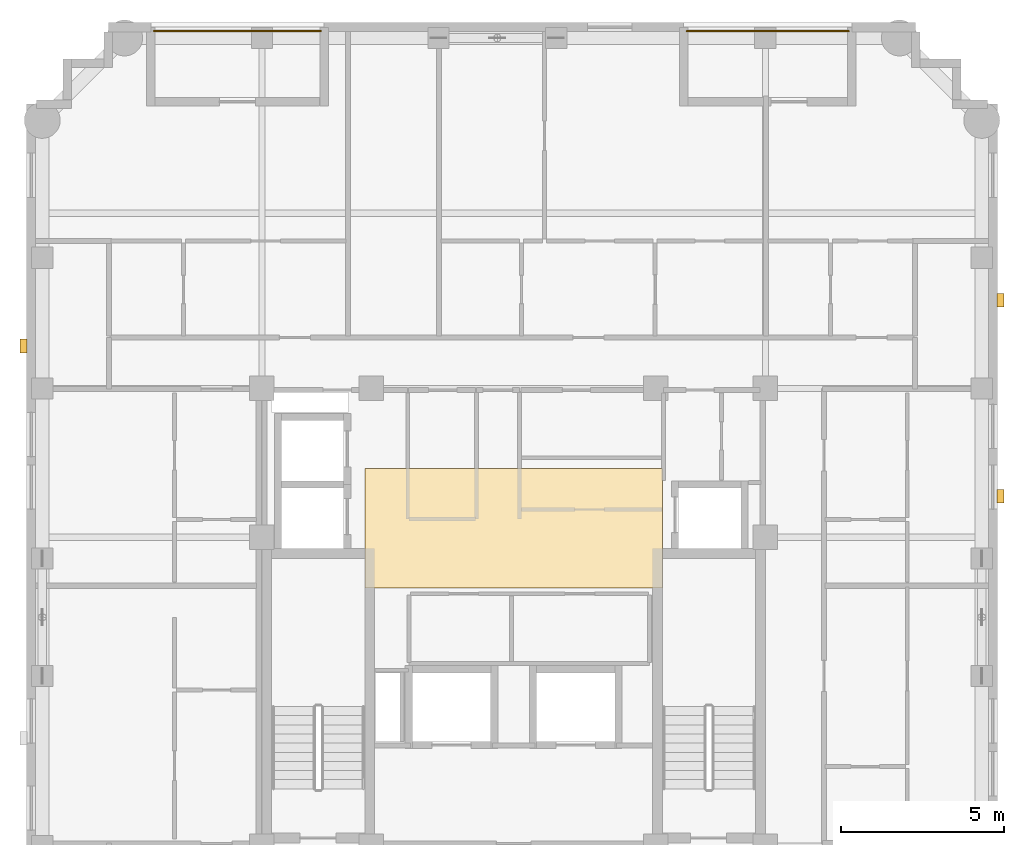
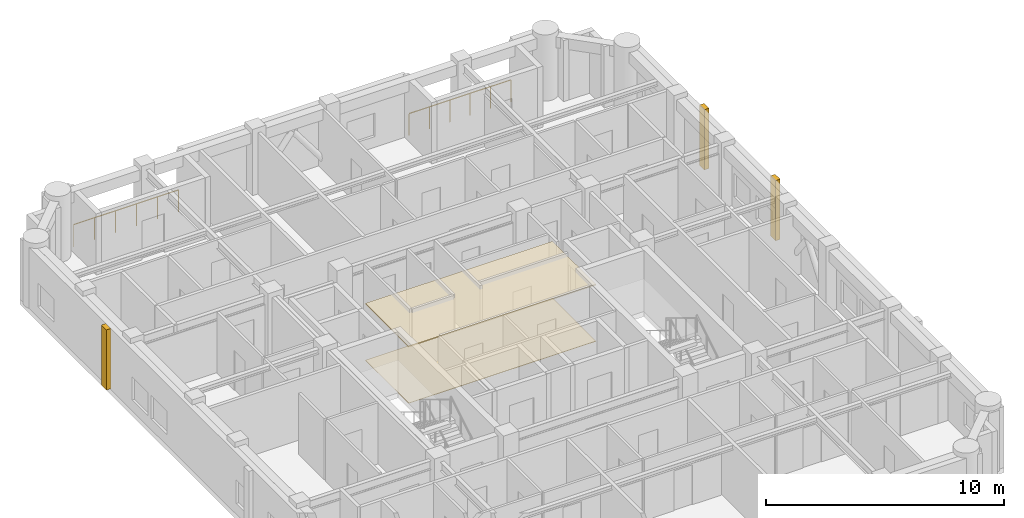
# One storey, part 10 of 10: 5 coverings, 2 railings.
"""IFC4 building model written with IfcOpenShell, lengths in metres."""

import ifcopenshell
import ifcopenshell.guid

model = None  # the IFC model being written
_history = None  # IfcOwnerHistory: only IFC2X3 demands one
_inside = {}  # id of a spatial element -> (the spatial element, [elements in it])
_under = {}  # id of a project, library or spatial element -> (it, [spatial elements below it])
_declared = {}  # id of a project -> (the project, [libraries it declares])
_typed = {}  # id of a type object -> (the type object, [elements of that type])
_made_of = {}  # id of a material, layer set ... -> (it, [elements and type objects made of it])


def new_model(schema):
    """Start an empty IFC model of exactly this schema.

    Asked for "IFC4X3", IfcOpenShell would pick the latest addendum, in which some entities
    have other attributes; the version numbers below select the first issue.
    IFC2X3 requires an IfcOwnerHistory on every rooted entity: one is made here for all.
    """
    global model, _history
    if schema == "IFC4X3":
        model = ifcopenshell.file(schema_version=(4, 3, 0, 0))
    else:
        model = ifcopenshell.file(schema=schema)
    _inside.clear()
    _under.clear()
    _declared.clear()
    _typed.clear()
    _made_of.clear()
    _history = None
    if model.schema == "IFC2X3":
        org = make("IfcOrganization", Name="unknown")
        user = make(
            "IfcPersonAndOrganization",
            ThePerson=make("IfcPerson", FamilyName="unknown"),
            TheOrganization=org,
        )
        app = make(
            "IfcApplication",
            ApplicationDeveloper=org,
            Version="unknown",
            ApplicationFullName="unknown",
            ApplicationIdentifier="unknown",
        )
        _history = make(
            "IfcOwnerHistory",
            OwningUser=user,
            OwningApplication=app,
            ChangeAction="ADDED",
            CreationDate=0,
        )
    return model


def make(cls, **values):
    """One entity of the class cls with the attributes given. An attribute that is None is left unset."""
    return model.create_entity(
        cls, **{name: value for name, value in values.items() if value is not None}
    )


def rooted(cls, **values):
    """An entity with a GlobalId (a new one), such as an element, a storey or a relation."""
    return make(cls, GlobalId=ifcopenshell.guid.new(), OwnerHistory=_history, **values)


def si_unit(unit_type, name, prefix=None):
    """IfcSIUnit, for example si_unit("LENGTHUNIT", "METRE", prefix="MILLI")."""
    return make("IfcSIUnit", UnitType=unit_type, Prefix=prefix, Name=name)


def derived_unit(unit_type, elements):
    """IfcDerivedUnit: a product of units, each with its exponent."""
    return make(
        "IfcDerivedUnit",
        Elements=[
            make("IfcDerivedUnitElement", Unit=unit, Exponent=power)
            for unit, power in elements
        ],
        UnitType=unit_type,
    )


def assignment(units):
    """IfcUnitAssignment: the units of a project."""
    return None if units is None else make("IfcUnitAssignment", Units=units)


def point(xyz):
    """IfcCartesianPoint."""
    return None if xyz is None else make("IfcCartesianPoint", Coordinates=xyz)


def direction(xyz):
    """IfcDirection."""
    return None if xyz is None else make("IfcDirection", DirectionRatios=xyz)


def frame(location, z_axis=None, x_axis=None):
    """IfcAxis2Placement3D, a coordinate frame: its origin and axes. An axis left out is left unset."""
    return make(
        "IfcAxis2Placement3D",
        Location=point(location),
        Axis=direction(z_axis),
        RefDirection=direction(x_axis),
    )


def frame_2d(location, x_axis=None):
    """IfcAxis2Placement2D, a coordinate frame in the plane: its origin and x axis."""
    return make(
        "IfcAxis2Placement2D", Location=point(location), RefDirection=direction(x_axis)
    )


def origin():
    """The frame at (0, 0, 0) with its axes left unset."""
    return frame((0.0, 0.0, 0.0))


def origin_2d():
    """The frame at (0, 0) in the plane with its x axis left unset."""
    return frame_2d((0.0, 0.0))


def place(relative_to, where):
    """IfcLocalPlacement: puts the frame where relative to a parent placement (None: the world)."""
    return make(
        "IfcLocalPlacement", PlacementRelTo=relative_to, RelativePlacement=where
    )


def context(
    kind, dimensions, precision=None, world=None, true_north=None, identifier=None
):
    """IfcGeometricRepresentationContext, for example the 3D "Model" context."""
    return make(
        "IfcGeometricRepresentationContext",
        ContextIdentifier=identifier,
        ContextType=kind,
        CoordinateSpaceDimension=dimensions,
        Precision=precision,
        WorldCoordinateSystem=world,
        TrueNorth=true_north,
    )


def subcontext(parent, identifier, kind, view, scale=None):
    """IfcGeometricRepresentationSubContext, for example "Body" below "Model"."""
    return make(
        "IfcGeometricRepresentationSubContext",
        ContextIdentifier=identifier,
        ContextType=kind,
        ParentContext=parent,
        TargetScale=scale,
        TargetView=view,
    )


def project(units=None, contexts=None):
    """IfcProject with its units and contexts."""
    return rooted(
        "IfcProject",
        Name="project",
        RepresentationContexts=contexts,
        UnitsInContext=assignment(units),
    )


def spatial(cls, under=None, at=None, **own):
    """A site, building, storey or space (cls), placed at a placement, below another one or the project."""
    s = rooted(cls, ObjectPlacement=at, **own)
    if under is not None:
        _under.setdefault(under.id(), (under, []))[1].append(s)
    return s


def polyline(points):
    """IfcPolyline through the points."""
    return make("IfcPolyline", Points=[point(p) for p in points])


def profile(cls, at=None, kind="AREA", **sizes):
    """A parametric profile (cls). Its sizes go by their IFC names, for example OverallWidth=200.0."""
    return make(cls, ProfileType=kind, Position=at, **sizes)


def rectangle(**sizes):
    """IfcRectangleProfileDef."""
    return profile("IfcRectangleProfileDef", **sizes)


def circle(**sizes):
    """IfcCircleProfileDef."""
    return profile("IfcCircleProfileDef", **sizes)


def outline(outer, holes=None, kind="AREA"):
    """IfcArbitraryClosedProfileDef: a profile drawn as a closed curve; with holes, ...WithVoids."""
    if holes is None:
        return make("IfcArbitraryClosedProfileDef", ProfileType=kind, OuterCurve=outer)
    return make(
        "IfcArbitraryProfileDefWithVoids",
        ProfileType=kind,
        OuterCurve=outer,
        InnerCurves=holes,
    )


def extrude(swept, where, along, depth):
    """IfcExtrudedAreaSolid: the profile swept, set in the frame where, extruded along a direction by depth."""
    return make(
        "IfcExtrudedAreaSolid",
        SweptArea=swept,
        Position=where,
        ExtrudedDirection=direction(along),
        Depth=depth,
    )


def shape(context_of_items, identifier, shape_type, items):
    """IfcShapeRepresentation: the items that make up one representation, for example the "Body"."""
    return make(
        "IfcShapeRepresentation",
        ContextOfItems=context_of_items,
        RepresentationIdentifier=identifier,
        RepresentationType=shape_type,
        Items=items,
    )


def material(Name=None, Category=None):
    """IfcMaterial."""
    return make("IfcMaterial", Name=Name, Category=Category)


def layer(
    of_material, thickness, ventilated=None, Name=None, Category=None, Priority=None
):
    """IfcMaterialLayer: one layer of a wall or slab, of a material (None: an air gap)."""
    return make(
        "IfcMaterialLayer",
        Material=of_material,
        LayerThickness=thickness,
        IsVentilated=ventilated,
        Name=Name,
        Category=Category,
        Priority=Priority,
    )


def layer_set(layers, Name=None):
    """IfcMaterialLayerSet."""
    return make("IfcMaterialLayerSet", MaterialLayers=layers, LayerSetName=Name)


def made_of(thing, what):
    """Note that an element or type object is made of a material, layer set ...; save() writes the relation."""
    if what is not None:
        _made_of.setdefault(what.id(), (what, []))[1].append(thing)
    return thing


def type_object(cls, material=None, **own):
    """A type object (cls), such as IfcWallType, which elements share."""
    return made_of(rooted(cls, **own), material)


def element(
    cls,
    number,
    at=None,
    inside=None,
    cuts=None,
    type_object=None,
    material=None,
    context=None,
    identifier="Body",
    shape_type=None,
    held_by="IfcProductDefinitionShape",
    body=None,
    shapes=None,
    **own,
):
    """One element of the class cls, such as IfcWall. Its Tag is "e" and its number.

    at: its placement. inside: the storey or other place that contains it. cuts: it is an
    opening in that element (IfcRelVoidsElement). A single representation is given by context,
    identifier, shape_type and body (its items); several are given by shapes. held_by: the class
    of the entity that holds the representations. save() writes the other relations.
    """
    e = rooted(cls, Tag="e%d" % number, ObjectPlacement=at, **own)
    if body is not None:
        shapes = [shape(context, identifier, shape_type, body)]
    if shapes is not None:
        e.Representation = make(held_by, Representations=shapes)
    if inside is not None:
        _inside.setdefault(inside.id(), (inside, []))[1].append(e)
    if cuts is not None:
        rooted(
            "IfcRelVoidsElement", RelatingBuildingElement=cuts, RelatedOpeningElement=e
        )
    if type_object is not None:
        _typed.setdefault(type_object.id(), (type_object, []))[1].append(e)
    return made_of(e, material)


def aggregate(whole, parts):
    """IfcRelAggregates: a whole, such as a stair, and the parts it consists of."""
    return rooted("IfcRelAggregates", RelatingObject=whole, RelatedObjects=parts)


def save(model, path):
    """Write the relations noted so far, then the file.

    IfcRelAggregates (storeys below a building ...), IfcRelContainedInSpatialStructure (elements
    in a storey), IfcRelDefinesByType, IfcRelAssociatesMaterial and IfcRelDeclares: one each for
    every whole, place, type object, material and project.
    """
    for whole, parts in _under.values():
        aggregate(whole, parts)
    for where, things in _inside.values():
        rooted(
            "IfcRelContainedInSpatialStructure",
            RelatedElements=things,
            RelatingStructure=where,
        )
    for kind, things in _typed.values():
        rooted("IfcRelDefinesByType", RelatedObjects=things, RelatingType=kind)
    for what, things in _made_of.values():
        rooted("IfcRelAssociatesMaterial", RelatedObjects=things, RelatingMaterial=what)
    for by, libraries in _declared.values():
        rooted("IfcRelDeclares", RelatingContext=by, RelatedDefinitions=libraries)
    model.write(path)


model = new_model("IFC4")

# Units and contexts
model_context = context("Model", 3, precision=1e-05, world=origin(), true_north=direction((0.0, 1.0)))
body_context = subcontext(model_context, "Body", "Model", "MODEL_VIEW")
ifc_project = project(units=[si_unit("LENGTHUNIT", "METRE"), si_unit("AREAUNIT", "SQUARE_METRE"), si_unit("VOLUMEUNIT", "CUBIC_METRE"), si_unit("PLANEANGLEUNIT", "RADIAN"), si_unit("MASSUNIT", "GRAM", prefix="KILO"), derived_unit("THERMALTRANSMITTANCEUNIT", [(si_unit("MASSUNIT", "GRAM", prefix="KILO"), 1), (si_unit("TIMEUNIT", "SECOND"), -3), (si_unit("THERMODYNAMICTEMPERATUREUNIT", "KELVIN"), -1)])], contexts=[model_context])

# Site, building, storey
site_placement = place(None, origin())
site = spatial("IfcSite", under=ifc_project, at=site_placement, CompositionType="ELEMENT")
building_placement = place(site_placement, origin())
building = spatial("IfcBuilding", under=site, at=building_placement, Name="Korrvale Station Residences", CompositionType="ELEMENT")
storey_placement = place(building_placement, frame((0.0, 0.0, 234.300048828125)))
storey = spatial("IfcBuildingStorey", under=building, at=storey_placement, Name="L68", CompositionType="ELEMENT", Elevation=234.300048828125)

# Coverings
ifc_material_1 = material(Name="Perforated acoustic mineral-fibre suspended ceiling", Category="gypsum")
ifc_layer_1 = layer(ifc_material_1, 0.050048828125, Name="Perforated acoustic mineral-fibre suspended ceiling")
ifc_layer_set_1 = layer_set([ifc_layer_1], Name="Perforated acoustic mineral-fibre suspended ceiling")
covering_type_1 = type_object("IfcCoveringType", Name="COV-CLG-AC60", PredefinedType="CEILING", material=ifc_layer_set_1)
covering_1_placement = place(storey_placement, frame((0.0, 0.0, 2.889892578125)))
element("IfcCovering", 1, at=covering_1_placement, inside=storey, type_object=covering_type_1, Name="L68 Elevator Lobby Acoustic Ceiling", PredefinedType="CEILING", context=body_context, shape_type="SweptSolid", body=[
    extrude(outline(polyline([(20.949951171875, 22.89990234375), (30.050048828125, 22.89990234375), (30.050048828125, 26.550048828125), (20.949951171875, 26.550048828125), (20.949951171875, 22.89990234375)])), origin(), (0.0, 0.0, 1.0), 0.050048828125),
])
ifc_material_2 = material(Name="Polished quartz-terrazzo lobby flooring", Category="masonry")
ifc_layer_2 = layer(ifc_material_2, 0.02001953125, Name="Polished quartz-terrazzo lobby flooring")
ifc_layer_set_2 = layer_set([ifc_layer_2], Name="Polished quartz-terrazzo lobby flooring")
covering_type_2 = type_object("IfcCoveringType", Name="COV-FLR-TER20", PredefinedType="FLOORING", material=ifc_layer_set_2)
covering_2_placement = place(storey_placement, origin())
element("IfcCovering", 2, at=covering_2_placement, inside=storey, type_object=covering_type_2, Name="L68 Elevator Lobby Terrazzo Flooring", PredefinedType="FLOORING", context=body_context, shape_type="SweptSolid", body=[
    extrude(outline(polyline([(20.949951171875, 22.89990234375), (30.050048828125, 22.89990234375), (30.050048828125, 26.550048828125), (20.949951171875, 26.550048828125), (20.949951171875, 22.89990234375)])), origin(), (0.0, 0.0, 1.0), 0.02001953125),
])
ifc_material_3 = material(Name="Architectural precast concrete C45/55", Category="concrete")
ifc_layer_3 = layer(ifc_material_3, 0.219970703125, Name="Architectural precast concrete C45/55")
ifc_layer_set_3 = layer_set([ifc_layer_3], Name="Architectural precast concrete C45/55")
covering_type_3 = type_object("IfcCoveringType", Name="COV-PIER-400", PredefinedType="CLADDING", material=ifc_layer_set_3)
for number, where, z_axis, x_axis, name in (
    (3, (10.510009765625, 30.300048828125, 0.02490234375), (0.0, 0.0, 1.0), (0.0, 1.0, 0.0), "L68 Architectural Precast Facade Pier 04"),
    (4, (40.389892578125, 31.699951171875, 0.02490234375), (0.0, 0.0, 1.0), (0.0, 1.0, 0.0), "L68 Architectural Precast Facade Pier 05"),
    (5, (40.389892578125, 25.699951171875, 0.02490234375), (0.0, 0.0, 1.0), (0.0, 1.0, 0.0), "L68 Architectural Precast Facade Pier 06"),
):
    element("IfcCovering", number, at=place(storey_placement, frame(where, z_axis=z_axis, x_axis=x_axis)), inside=storey, type_object=covering_type_3, Name=name, PredefinedType="CLADDING", context=body_context, shape_type="SweptSolid", body=[
        extrude(rectangle(XDim=0.419921875, YDim=0.219970703125, at=origin_2d()), origin(), (0.0, 0.0, 1.0), 3.090087890625),
    ])

# Railings
ifc_material_4 = material(Name="Powder-coated aluminium picket loggia guard", Category="aluminium")
railing_type = type_object("IfcRailingType", Name="RLG-BAL-1150", PredefinedType="GUARDRAIL", material=ifc_material_4)
railing_1_placement = place(storey_placement, frame((14.5, 39.929931640625, 0.0)))
element("IfcRailing", 6, at=railing_1_placement, inside=storey, type_object=railing_type, Name="L68 Recessed Loggia Guardrail BAL-L68-N2", PredefinedType="GUARDRAIL", context=body_context, shape_type="SweptSolid", body=[
    extrude(circle(Radius=0.02392578125, at=origin_2d()), frame((0.0, 0.0, 1.1259765625), z_axis=(1.0, 0.0, 0.0), x_axis=(0.0, 1.0, 0.0)), (0.0, 0.0, 1.0), 5.10009765625),
    extrude(circle(Radius=0.02099609375, at=origin_2d()), origin(), (0.0, 0.0, 1.0), 1.101806640625),
    extrude(circle(Radius=0.02099609375, at=origin_2d()), frame((1.02001953125, 0.0, 0.0)), (0.0, 0.0, 1.0), 1.101806640625),
    extrude(circle(Radius=0.02099609375, at=origin_2d()), frame((2.0400390625, 0.0, 0.0)), (0.0, 0.0, 1.0), 1.101806640625),
    extrude(circle(Radius=0.02099609375, at=origin_2d()), frame((3.06005859375, 0.0, 0.0)), (0.0, 0.0, 1.0), 1.101806640625),
    extrude(circle(Radius=0.02099609375, at=origin_2d()), frame((4.080078125, 0.0, 0.0)), (0.0, 0.0, 1.0), 1.101806640625),
    extrude(circle(Radius=0.02099609375, at=origin_2d()), frame((5.10009765625, 0.0, 0.0)), (0.0, 0.0, 1.0), 1.101806640625),
])
railing_2_placement = place(storey_placement, frame((30.800048828125, 39.929931640625, 0.0)))
element("IfcRailing", 7, at=railing_2_placement, inside=storey, type_object=railing_type, Name="L68 Recessed Loggia Guardrail BAL-L68-N1", PredefinedType="GUARDRAIL", context=body_context, shape_type="SweptSolid", body=[
    extrude(circle(Radius=0.02392578125, at=origin_2d()), frame((0.0, 0.0, 1.1259765625), z_axis=(1.0, 0.0, 0.0), x_axis=(0.0, 1.0, 0.0)), (0.0, 0.0, 1.0), 4.949951171875),
    extrude(circle(Radius=0.02099609375, at=origin_2d()), origin(), (0.0, 0.0, 1.0), 1.101806640625),
    extrude(circle(Radius=0.02099609375, at=origin_2d()), frame((0.989990234375, 0.0, 0.0)), (0.0, 0.0, 1.0), 1.101806640625),
    extrude(circle(Radius=0.02099609375, at=origin_2d()), frame((1.97998046875, 0.0, 0.0)), (0.0, 0.0, 1.0), 1.101806640625),
    extrude(circle(Radius=0.02099609375, at=origin_2d()), frame((2.969970703125, 0.0, 0.0)), (0.0, 0.0, 1.0), 1.101806640625),
    extrude(circle(Radius=0.02099609375, at=origin_2d()), frame((3.9599609375, 0.0, 0.0)), (0.0, 0.0, 1.0), 1.101806640625),
    extrude(circle(Radius=0.02099609375, at=origin_2d()), frame((4.949951171875, 0.0, 0.0)), (0.0, 0.0, 1.0), 1.101806640625),
])

save(model, "model.ifc")
